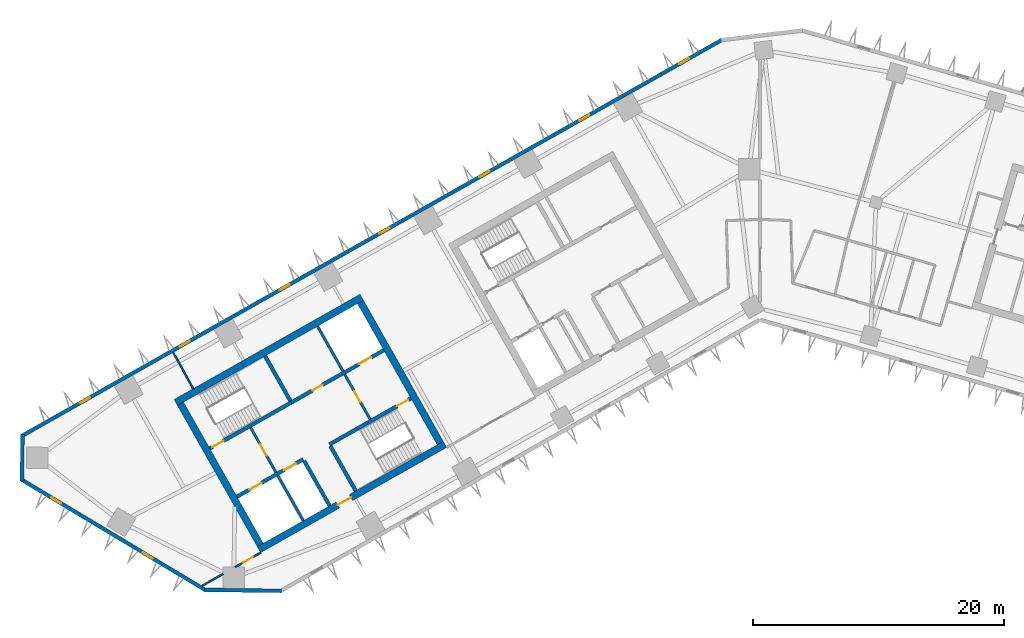
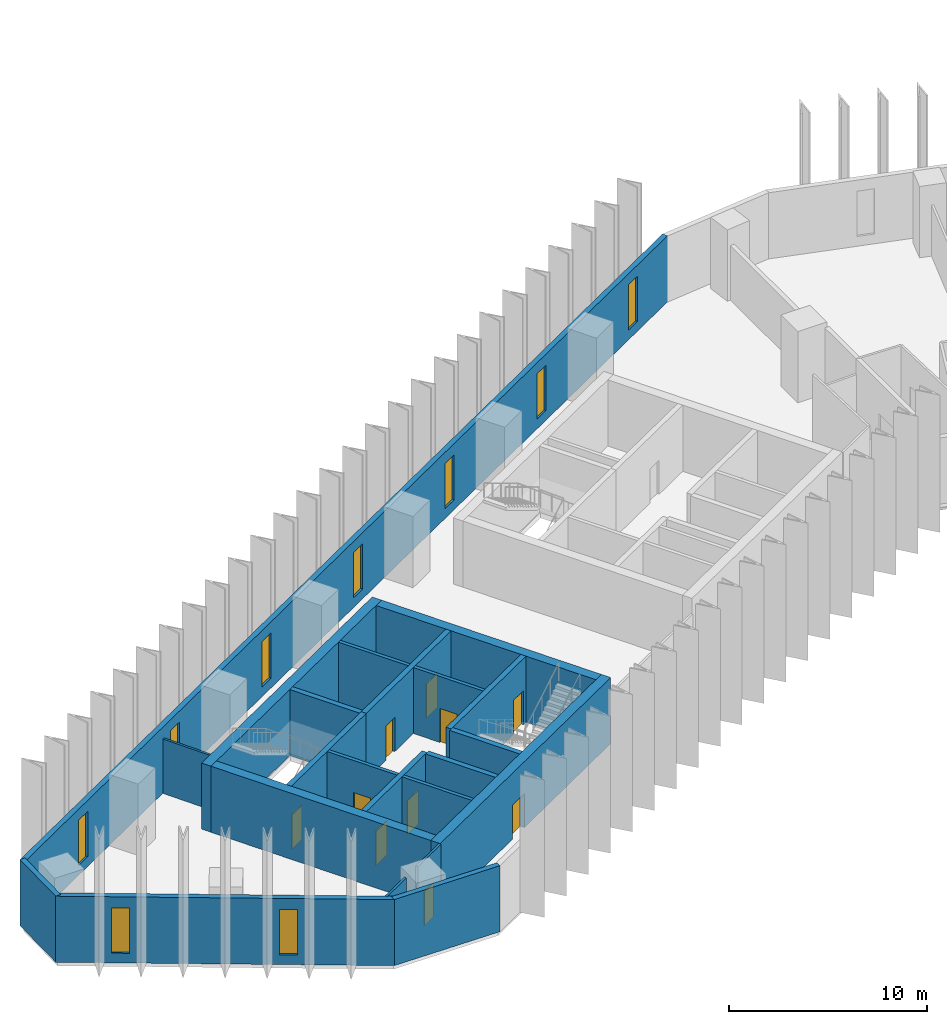
# One storey, part 3 of 11: 22 walls, 10 doors, 9 windows, 19 openings.
"""IFC4 building model written with IfcOpenShell, lengths in metres."""

from ifc_helpers import new_model, si_unit, direction, frame, frame_2d, origin, place, context, subcontext, project, spatial, rectangle, extrude, material, layer, layer_set, type_object, element, fill, save


model = new_model("IFC4")

# Units and contexts
model_context = context("Model", 3, precision=1e-05, world=origin(), true_north=direction((0.0, 1.0)))
body_context = subcontext(model_context, "Body", "Model", "MODEL_VIEW")
ifc_project = project(units=[si_unit("LENGTHUNIT", "METRE"), si_unit("AREAUNIT", "SQUARE_METRE"), si_unit("VOLUMEUNIT", "CUBIC_METRE"), si_unit("PLANEANGLEUNIT", "RADIAN"), si_unit("MASSUNIT", "GRAM", prefix="KILO")], contexts=[model_context])

# Site, building, storey
site_placement = place(None, origin())
site = spatial("IfcSite", under=ifc_project, at=site_placement, CompositionType="ELEMENT")
building_placement = place(site_placement, origin())
building = spatial("IfcBuilding", under=site, at=building_placement, Name="Binnacle Exchange Tower", CompositionType="ELEMENT")
storey_placement = place(building_placement, frame((0.0, 0.0, 114.699951171875)))
storey = spatial("IfcBuildingStorey", under=building, at=storey_placement, Name="L23", CompositionType="ELEMENT", Elevation=114.699951171875)

# Wall, openings, doors
ifc_material_1 = material(Name="Concrete C70/85", Category="concrete")
ifc_layer_1 = layer(ifc_material_1, 0.300048828125)
ifc_layer_set_1 = layer_set([ifc_layer_1], Name="Core wall - front 300")
wall_type_1 = type_object("IfcWallType", Name="Core wall - front 300", PredefinedType="SOLIDWALL", material=ifc_layer_set_1)
wall_1_placement = place(storey_placement, frame((-41.599609375, 33.936279296875, 0.0), z_axis=(0.0, 0.0, 1.0), x_axis=(0.870348557882, 0.492436176365, 0.0)))
wall_1 = element("IfcWall", 1, at=wall_1_placement, inside=storey, type_object=wall_type_1, Name="Core wall CRWA2", PredefinedType="SOLIDWALL", context=body_context, shape_type="SweptSolid", body=[
    extrude(rectangle(XDim=6.050048828125, YDim=0.300048828125, at=frame_2d((3.02490234375, 0.0))), origin(), (0.0, 0.0, 1.0), 4.080078125),
])
opening_1_placement = place(wall_1_placement, frame((1.14990234375, 0.0, 0.0)))
opening_1 = element("IfcOpeningElement", 2, at=opening_1_placement, cuts=wall_1, Name="Opening LD12", PredefinedType="OPENING", context=body_context, shape_type="SweptSolid", body=[
    extrude(rectangle(XDim=1.10009765625, YDim=2.10009765625, at=frame_2d((0.550048828125, 1.050048828125))), frame((0.0, 0.159912109375, 0.0), z_axis=(0.0, -1.0, 0.0), x_axis=(1.0, 0.0, 0.0)), (0.0, 0.0, 1.0), 0.320068359375),
])
opening_2_placement = place(wall_1_placement, frame((4.300048828125, 0.0, 0.0)))
opening_2 = element("IfcOpeningElement", 3, at=opening_2_placement, cuts=wall_1, Name="Opening LD8", PredefinedType="OPENING", context=body_context, shape_type="SweptSolid", body=[
    extrude(rectangle(XDim=1.10009765625, YDim=2.10009765625, at=frame_2d((0.550048828125, 1.050048828125))), frame((0.0, 0.159912109375, 0.0), z_axis=(0.0, -1.0, 0.0), x_axis=(1.0, 0.0, 0.0)), (0.0, 0.0, 1.0), 0.320068359375),
])
ifc_material_2 = material(Name="Steel door leaf", Category="steel")
door_type_1 = type_object("IfcDoorType", Name="Fire door - lift landing 1100", OperationType="NOTDEFINED", PredefinedType="DOOR", material=ifc_material_2)
door_1_placement = place(opening_1_placement, origin())
door_1 = element("IfcDoor", 4, at=door_1_placement, inside=storey, type_object=door_type_1, Name="Landing door LD12 L23", OperationType="DOUBLE_DOOR_SLIDING", OverallHeight=2.10009765625, OverallWidth=1.10009765625, PredefinedType="DOOR", context=body_context, shape_type="SweptSolid", body=[
    extrude(rectangle(XDim=1.10009765625, YDim=2.10009765625, at=frame_2d((0.550048828125, 1.050048828125))), frame((0.0, 0.02490234375, 0.0), z_axis=(0.0, -1.0, 0.0), x_axis=(1.0, 0.0, 0.0)), (0.0, 0.0, 1.0), 0.050048828125),
])
fill(opening_1, door_1)
door_2_placement = place(opening_2_placement, origin())
door_2 = element("IfcDoor", 5, at=door_2_placement, inside=storey, type_object=door_type_1, Name="Landing door LD8 L23", OperationType="DOUBLE_DOOR_SLIDING", OverallHeight=2.10009765625, OverallWidth=1.10009765625, PredefinedType="DOOR", context=body_context, shape_type="SweptSolid", body=[
    extrude(rectangle(XDim=1.10009765625, YDim=2.10009765625, at=frame_2d((0.550048828125, 1.050048828125))), frame((0.0, 0.02490234375, 0.0), z_axis=(0.0, -1.0, 0.0), x_axis=(1.0, 0.0, 0.0)), (0.0, 0.0, 1.0), 0.050048828125),
])
fill(opening_2, door_2)

wall_2_placement = place(storey_placement, frame((-37.281982421875, 41.4345703125, 0.0), z_axis=(0.0, 0.0, 1.0), x_axis=(0.870359895813, 0.492416136779, 0.0)))
wall_2 = element("IfcWall", 6, at=wall_2_placement, inside=storey, type_object=wall_type_1, Name="Core wall CRWA5", PredefinedType="SOLIDWALL", context=body_context, shape_type="SweptSolid", body=[
    extrude(rectangle(XDim=8.449951171875, YDim=0.300048828125, at=frame_2d((4.22509765625, 0.0))), origin(), (0.0, 0.0, 1.0), 4.080078125),
])
opening_3_placement = place(wall_2_placement, frame((6.199951171875, 0.0, 0.0)))
opening_3 = element("IfcOpeningElement", 7, at=opening_3_placement, cuts=wall_2, Name="Opening LD13", PredefinedType="OPENING", context=body_context, shape_type="SweptSolid", body=[
    extrude(rectangle(XDim=1.10009765625, YDim=2.10009765625, at=frame_2d((0.550048828125, 1.050048828125))), frame((0.0, 0.159912109375, 0.0), z_axis=(0.0, -1.0, 0.0), x_axis=(1.0, 0.0, 0.0)), (0.0, 0.0, 1.0), 0.320068359375),
])
opening_4_placement = place(wall_2_placement, frame((1.949951171875, 0.0, 0.0)))
opening_4 = element("IfcOpeningElement", 8, at=opening_4_placement, cuts=wall_2, Name="Opening DA10", PredefinedType="OPENING", context=body_context, shape_type="SweptSolid", body=[
    extrude(rectangle(XDim=0.89990234375, YDim=2.10009765625, at=frame_2d((0.449951171875, 1.050048828125))), frame((0.0, 0.159912109375, 0.0), z_axis=(0.0, -1.0, 0.0), x_axis=(1.0, 0.0, 0.0)), (0.0, 0.0, 1.0), 0.320068359375),
])
door_3_placement = place(opening_3_placement, origin())
door_3 = element("IfcDoor", 9, at=door_3_placement, inside=storey, type_object=door_type_1, Name="Landing door LD13 L23", OperationType="DOUBLE_DOOR_SLIDING", OverallHeight=2.10009765625, OverallWidth=1.10009765625, PredefinedType="DOOR", context=body_context, shape_type="SweptSolid", body=[
    extrude(rectangle(XDim=1.10009765625, YDim=2.10009765625, at=frame_2d((0.550048828125, 1.050048828125))), frame((0.0, 0.02490234375, 0.0), z_axis=(0.0, -1.0, 0.0), x_axis=(1.0, 0.0, 0.0)), (0.0, 0.0, 1.0), 0.050048828125),
])
fill(opening_3, door_3)
door_type_2 = type_object("IfcDoorType", Name="Fire door 900", OperationType="NOTDEFINED", PredefinedType="DOOR", material=ifc_material_2)
door_4_placement = place(opening_4_placement, origin())
door_4 = element("IfcDoor", 10, at=door_4_placement, inside=storey, type_object=door_type_2, Name="Core room door EQUIPMENT STORE", OperationType="SINGLE_SWING_LEFT", OverallHeight=2.10009765625, OverallWidth=0.89990234375, PredefinedType="DOOR", context=body_context, shape_type="SweptSolid", body=[
    extrude(rectangle(XDim=0.89990234375, YDim=2.10009765625, at=frame_2d((0.449951171875, 1.050048828125))), frame((0.0, 0.02490234375, 0.0), z_axis=(0.0, -1.0, 0.0), x_axis=(1.0, 0.0, 0.0)), (0.0, 0.0, 1.0), 0.050048828125),
])
fill(opening_4, door_4)

# Wall
wall_3_placement = place(storey_placement, frame((-36.260009765625, 36.784912109375, 0.0), z_axis=(0.0, 0.0, 1.0), x_axis=(0.492408451753, -0.87036424366, 0.0)))
element("IfcWall", 11, at=wall_3_placement, inside=storey, type_object=wall_type_1, Name="Core wall CRWA13", PredefinedType="SOLIDWALL", context=body_context, shape_type="SweptSolid", body=[
    extrude(rectangle(XDim=4.099853515625, YDim=0.300048828125, at=frame_2d((2.0498046875, 0.0))), origin(), (0.0, 0.0, 1.0), 4.080078125),
])

# Wall, opening, door
ifc_layer_2 = layer(ifc_material_1, 0.550048828125)
ifc_layer_set_2 = layer_set([ifc_layer_2], Name="Core wall - outer 550")
wall_type_2 = type_object("IfcWallType", Name="Core wall - outer 550", PredefinedType="SOLIDWALL", material=ifc_layer_set_2)
wall_4_placement = place(storey_placement, frame((-39.85009765625, 29.727294921875, 0.0), z_axis=(0.0, 0.0, 1.0), x_axis=(0.870359753402, 0.492416388494, 0.0)))
wall_4 = element("IfcWall", 12, at=wall_4_placement, inside=storey, type_object=wall_type_2, Name="Core wall CRWA1", PredefinedType="SOLIDWALL", context=body_context, shape_type="SweptSolid", body=[
    extrude(rectangle(XDim=17.0, YDim=0.550048828125, at=frame_2d((8.5, 0.0))), origin(), (0.0, 0.0, 1.0), 4.080078125),
])
opening_5_placement = place(wall_4_placement, frame((7.199951171875, 0.0, 0.0)))
opening_5 = element("IfcOpeningElement", 13, at=opening_5_placement, cuts=wall_4, Name="Opening DA7", PredefinedType="OPENING", context=body_context, shape_type="SweptSolid", body=[
    extrude(rectangle(XDim=1.199951171875, YDim=2.10009765625, at=frame_2d((0.60009765625, 1.050048828125))), frame((0.0, 0.284912109375, 0.0), z_axis=(0.0, -1.0, 0.0), x_axis=(1.0, 0.0, 0.0)), (0.0, 0.0, 1.0), 0.570068359375),
])
door_type_3 = type_object("IfcDoorType", Name="Fire door 1200", OperationType="NOTDEFINED", PredefinedType="DOOR", material=ifc_material_2)
door_5_placement = place(opening_5_placement, frame((1.199951171875, 0.0, 0.0), z_axis=(0.0, 0.0, 1.0), x_axis=(-1.0, 0.0, 0.0)))
door_5 = element("IfcDoor", 14, at=door_5_placement, inside=storey, type_object=door_type_3, Name="Lift lobby entrance door core A", OperationType="SINGLE_SWING_RIGHT", OverallHeight=2.10009765625, OverallWidth=1.199951171875, PredefinedType="DOOR", context=body_context, shape_type="SweptSolid", body=[
    extrude(rectangle(XDim=1.199951171875, YDim=2.10009765625, at=frame_2d((0.60009765625, 1.050048828125))), frame((0.0, 0.02490234375, 0.0), z_axis=(0.0, -1.0, 0.0), x_axis=(1.0, 0.0, 0.0)), (0.0, 0.0, 1.0), 0.050048828125),
])
fill(opening_5, door_5)

# Walls
wall_5_placement = place(storey_placement, frame((-46.47314453125, 41.43359375, 0.0), z_axis=(0.0, 0.0, 1.0), x_axis=(0.870359753402, 0.492416388494, 0.0)))
element("IfcWall", 15, at=wall_5_placement, inside=storey, type_object=wall_type_2, Name="Core wall CRWA6", PredefinedType="SOLIDWALL", context=body_context, shape_type="SweptSolid", body=[
    extrude(rectangle(XDim=17.0, YDim=0.550048828125, at=frame_2d((8.5, 0.0))), origin(), (0.0, 0.0, 1.0), 4.080078125),
])
wall_6_placement = place(storey_placement, frame((-46.098388671875, 41.32958984375, 0.0), z_axis=(0.0, 0.0, 1.0), x_axis=(0.492418910884, -0.870358326325, 0.0)))
element("IfcWall", 16, at=wall_6_placement, inside=storey, type_object=wall_type_2, Name="Core wall CRWA7", PredefinedType="SOLIDWALL", context=body_context, shape_type="SweptSolid", body=[
    extrude(rectangle(XDim=12.900146484375, YDim=0.550048828125, at=frame_2d((6.4501953125, 0.0))), origin(), (0.0, 0.0, 1.0), 4.080078125),
])
wall_7_placement = place(storey_placement, frame((-31.781005859375, 49.429931640625, 0.0), z_axis=(0.0, 0.0, 1.0), x_axis=(0.492427022044, -0.870353737259, 0.0)))
element("IfcWall", 17, at=wall_7_placement, inside=storey, type_object=wall_type_2, Name="Core wall CRWA22", PredefinedType="SOLIDWALL", context=body_context, shape_type="SweptSolid", body=[
    extrude(rectangle(XDim=12.89990234375, YDim=0.550048828125, at=frame_2d((6.449951171875, 0.0))), origin(), (0.0, 0.0, 1.0), 4.080078125),
])

# Wall, opening, door
ifc_layer_3 = layer(ifc_material_1, 0.300048828125)
ifc_layer_set_3 = layer_set([ifc_layer_3], Name="Core wall - stair 300")
wall_type_3 = type_object("IfcWallType", Name="Core wall - stair 300", PredefinedType="SOLIDWALL", material=ifc_layer_set_3)
wall_8_placement = place(storey_placement, frame((-34.2451171875, 38.097412109375, 0.0), z_axis=(0.0, 0.0, 1.0), x_axis=(0.870360741098, 0.49241464271, 0.0)))
wall_8 = element("IfcWall", 18, at=wall_8_placement, inside=storey, type_object=wall_type_3, Name="Core wall CRWA3", PredefinedType="SOLIDWALL", context=body_context, shape_type="SweptSolid", body=[
    extrude(rectangle(XDim=7.449951171875, YDim=0.300048828125, at=frame_2d((3.72509765625, 0.0))), origin(), (0.0, 0.0, 1.0), 4.080078125),
])
opening_6_placement = place(wall_8_placement, frame((6.199951171875, 0.0, 0.0)))
opening_6 = element("IfcOpeningElement", 19, at=opening_6_placement, cuts=wall_8, Name="Opening DA2", PredefinedType="OPENING", context=body_context, shape_type="SweptSolid", body=[
    extrude(rectangle(XDim=1.0, YDim=2.10009765625, at=frame_2d((0.5, 1.050048828125))), frame((0.0, 0.159912109375, 0.0), z_axis=(0.0, -1.0, 0.0), x_axis=(1.0, 0.0, 0.0)), (0.0, 0.0, 1.0), 0.320068359375),
])
door_type_4 = type_object("IfcDoorType", Name="Fire door 1000", OperationType="NOTDEFINED", PredefinedType="DOOR", material=ifc_material_2)
door_6_placement = place(opening_6_placement, frame((1.0, 0.0, 0.0), z_axis=(0.0, 0.0, 1.0), x_axis=(-1.0, 0.0, 0.0)))
door_6 = element("IfcDoor", 20, at=door_6_placement, inside=storey, type_object=door_type_4, Name="Stair door ST-A2", OperationType="SINGLE_SWING_LEFT", OverallHeight=2.10009765625, OverallWidth=1.0, PredefinedType="DOOR", context=body_context, shape_type="SweptSolid", body=[
    extrude(rectangle(XDim=1.0, YDim=2.10009765625, at=frame_2d((0.5, 1.050048828125))), frame((0.0, 0.02490234375, 0.0), z_axis=(0.0, -1.0, 0.0), x_axis=(1.0, 0.0, 0.0)), (0.0, 0.0, 1.0), 0.050048828125),
])
fill(opening_6, door_6)

wall_9_placement = place(storey_placement, frame((-43.76611328125, 37.765869140625, 0.0), z_axis=(0.0, 0.0, 1.0), x_axis=(0.870346696097, 0.492439466932, 0.0)))
wall_9 = element("IfcWall", 21, at=wall_9_placement, inside=storey, type_object=wall_type_3, Name="Core wall CRWA4", PredefinedType="SOLIDWALL", context=body_context, shape_type="SweptSolid", body=[
    extrude(rectangle(XDim=7.449951171875, YDim=0.300048828125, at=frame_2d((3.72509765625, 0.0))), origin(), (0.0, 0.0, 1.0), 4.080078125),
])
opening_7_placement = place(wall_9_placement, frame((0.25, 0.0, 0.0)))
opening_7 = element("IfcOpeningElement", 22, at=opening_7_placement, cuts=wall_9, Name="Opening DA1", PredefinedType="OPENING", context=body_context, shape_type="SweptSolid", body=[
    extrude(rectangle(XDim=1.0, YDim=2.10009765625, at=frame_2d((0.5, 1.050048828125))), frame((0.0, 0.159912109375, 0.0), z_axis=(0.0, -1.0, 0.0), x_axis=(1.0, 0.0, 0.0)), (0.0, 0.0, 1.0), 0.320068359375),
])
door_7_placement = place(opening_7_placement, origin())
door_7 = element("IfcDoor", 23, at=door_7_placement, inside=storey, type_object=door_type_4, Name="Stair door ST-A1", OperationType="SINGLE_SWING_LEFT", OverallHeight=2.10009765625, OverallWidth=1.0, PredefinedType="DOOR", context=body_context, shape_type="SweptSolid", body=[
    extrude(rectangle(XDim=1.0, YDim=2.10009765625, at=frame_2d((0.5, 1.050048828125))), frame((0.0, 0.02490234375, 0.0), z_axis=(0.0, -1.0, 0.0), x_axis=(1.0, 0.0, 0.0)), (0.0, 0.0, 1.0), 0.050048828125),
])
fill(opening_7, door_7)

# Walls
for number, where, z_axis, x_axis, name in (
    (24, (-39.375, 45.133544921875, 0.0), (0.0, 0.0, 1.0), (0.492428039142, -0.870353161807, 0.0), "Core wall CRWA14"),
    (25, (-34.171142578125, 37.966796875, 0.0), (0.0, 0.0, 1.0), (0.492382931784, -0.870378681085, 0.0), "Core wall CRWA16"),
):
    element("IfcWall", number, at=place(storey_placement, frame(where, z_axis=z_axis, x_axis=x_axis)), inside=storey, type_object=wall_type_3, Name=name, PredefinedType="SOLIDWALL", context=body_context, shape_type="SweptSolid", body=[
        extrude(rectangle(XDim=4.10009765625, YDim=0.300048828125, at=frame_2d((2.050048828125, 0.0))), origin(), (0.0, 0.0, 1.0), 4.080078125),
    ])

# Wall, openings, windows
ifc_material_3 = material(Name="Bronze aluminium cladding", Category="aluminium")
ifc_layer_4 = layer(ifc_material_3, 0.300048828125)
ifc_layer_set_4 = layer_set([ifc_layer_4], Name="External wall - spandrel 300")
wall_type_4 = type_object("IfcWallType", Name="External wall - spandrel 300", PredefinedType="STANDARD", material=ifc_layer_set_4)
wall_10_placement = place(storey_placement, frame((-58.744873046875, 38.763671875, 0.0), z_axis=(0.0, 0.0, 1.0), x_axis=(0.870355811726, 0.492423355453, 0.0)))
wall_10 = element("IfcWall", 26, at=wall_10_placement, inside=storey, type_object=wall_type_4, Name="External wall EW-F03 L23", PredefinedType="STANDARD", context=body_context, shape_type="SweptSolid", body=[
    extrude(rectangle(XDim=64.025390625, YDim=0.300048828125, at=frame_2d((32.0126953125, 0.0))), origin(), (0.0, 0.0, 1.0), 4.080078125),
])
opening_8_placement = place(wall_10_placement, frame((60.12158203125, 0.0, 0.60009765625)))
opening_8 = element("IfcOpeningElement", 27, at=opening_8_placement, cuts=wall_10, Name="Opening WS2", PredefinedType="OPENING", context=body_context, shape_type="SweptSolid", body=[
    extrude(rectangle(XDim=0.89990234375, YDim=2.800048828125, at=frame_2d((0.449951171875, 1.39990234375))), frame((0.0, 0.159912109375, 0.0), z_axis=(0.0, -1.0, 0.0), x_axis=(1.0, 0.0, 0.0)), (0.0, 0.0, 1.0), 0.320068359375),
])
opening_9_placement = place(wall_10_placement, frame((50.99169921875, 0.0, 0.60009765625)))
opening_9 = element("IfcOpeningElement", 28, at=opening_9_placement, cuts=wall_10, Name="Opening WS2", PredefinedType="OPENING", context=body_context, shape_type="SweptSolid", body=[
    extrude(rectangle(XDim=0.89990234375, YDim=2.800048828125, at=frame_2d((0.449951171875, 1.39990234375))), frame((0.0, 0.159912109375, 0.0), z_axis=(0.0, -1.0, 0.0), x_axis=(1.0, 0.0, 0.0)), (0.0, 0.0, 1.0), 0.320068359375),
])
opening_10_placement = place(wall_10_placement, frame((41.86181640625, 0.0, 0.60009765625)))
opening_10 = element("IfcOpeningElement", 29, at=opening_10_placement, cuts=wall_10, Name="Opening WS2", PredefinedType="OPENING", context=body_context, shape_type="SweptSolid", body=[
    extrude(rectangle(XDim=0.89990234375, YDim=2.800048828125, at=frame_2d((0.449951171875, 1.39990234375))), frame((0.0, 0.159912109375, 0.0), z_axis=(0.0, -1.0, 0.0), x_axis=(1.0, 0.0, 0.0)), (0.0, 0.0, 1.0), 0.320068359375),
])
opening_11_placement = place(wall_10_placement, frame((32.73193359375, 0.0, 0.60009765625)))
opening_11 = element("IfcOpeningElement", 30, at=opening_11_placement, cuts=wall_10, Name="Opening WS2", PredefinedType="OPENING", context=body_context, shape_type="SweptSolid", body=[
    extrude(rectangle(XDim=0.89990234375, YDim=2.800048828125, at=frame_2d((0.449951171875, 1.39990234375))), frame((0.0, 0.159912109375, 0.0), z_axis=(0.0, -1.0, 0.0), x_axis=(1.0, 0.0, 0.0)), (0.0, 0.0, 1.0), 0.320068359375),
])
opening_12_placement = place(wall_10_placement, frame((23.60205078125, 0.0, 0.60009765625)))
opening_12 = element("IfcOpeningElement", 31, at=opening_12_placement, cuts=wall_10, Name="Opening WS2", PredefinedType="OPENING", context=body_context, shape_type="SweptSolid", body=[
    extrude(rectangle(XDim=0.89990234375, YDim=2.800048828125, at=frame_2d((0.449951171875, 1.39990234375))), frame((0.0, 0.159912109375, 0.0), z_axis=(0.0, -1.0, 0.0), x_axis=(1.0, 0.0, 0.0)), (0.0, 0.0, 1.0), 0.320068359375),
])
opening_13_placement = place(wall_10_placement, frame((14.47216796875, 0.0, 0.60009765625)))
opening_13 = element("IfcOpeningElement", 32, at=opening_13_placement, cuts=wall_10, Name="Opening WS2", PredefinedType="OPENING", context=body_context, shape_type="SweptSolid", body=[
    extrude(rectangle(XDim=0.89990234375, YDim=2.800048828125, at=frame_2d((0.449951171875, 1.39990234375))), frame((0.0, 0.159912109375, 0.0), z_axis=(0.0, -1.0, 0.0), x_axis=(1.0, 0.0, 0.0)), (0.0, 0.0, 1.0), 0.320068359375),
])
opening_14_placement = place(wall_10_placement, frame((5.34228515625, 0.0, 0.60009765625)))
opening_14 = element("IfcOpeningElement", 33, at=opening_14_placement, cuts=wall_10, Name="Opening WS2", PredefinedType="OPENING", context=body_context, shape_type="SweptSolid", body=[
    extrude(rectangle(XDim=0.89990234375, YDim=2.800048828125, at=frame_2d((0.449951171875, 1.39990234375))), frame((0.0, 0.159912109375, 0.0), z_axis=(0.0, -1.0, 0.0), x_axis=(1.0, 0.0, 0.0)), (0.0, 0.0, 1.0), 0.320068359375),
])
ifc_material_4 = material(Name="Bronze anodised aluminium frame", Category="aluminium")
window_type = type_object("IfcWindowType", Name="WS2 WINDOW 900x2800", PartitioningType="SINGLE_PANEL", PredefinedType="WINDOW", material=ifc_material_4)
window_1_placement = place(opening_8_placement, origin())
window_1 = element("IfcWindow", 34, at=window_1_placement, inside=storey, type_object=window_type, Name="Window WS2 L23", OverallHeight=2.800048828125, OverallWidth=0.89990234375, PartitioningType="SINGLE_PANEL", PredefinedType="WINDOW", context=body_context, shape_type="SweptSolid", body=[
    extrude(rectangle(XDim=0.89990234375, YDim=2.800048828125, at=frame_2d((0.449951171875, 1.39990234375))), frame((0.0, 0.030029296875, 0.0), z_axis=(0.0, -1.0, 0.0), x_axis=(1.0, 0.0, 0.0)), (0.0, 0.0, 1.0), 0.06005859375),
])
fill(opening_8, window_1)
window_2_placement = place(opening_9_placement, origin())
window_2 = element("IfcWindow", 35, at=window_2_placement, inside=storey, type_object=window_type, Name="Window WS2 L23", OverallHeight=2.800048828125, OverallWidth=0.89990234375, PartitioningType="SINGLE_PANEL", PredefinedType="WINDOW", context=body_context, shape_type="SweptSolid", body=[
    extrude(rectangle(XDim=0.89990234375, YDim=2.800048828125, at=frame_2d((0.449951171875, 1.39990234375))), frame((0.0, 0.030029296875, 0.0), z_axis=(0.0, -1.0, 0.0), x_axis=(1.0, 0.0, 0.0)), (0.0, 0.0, 1.0), 0.06005859375),
])
fill(opening_9, window_2)
window_3_placement = place(opening_10_placement, origin())
window_3 = element("IfcWindow", 36, at=window_3_placement, inside=storey, type_object=window_type, Name="Window WS2 L23", OverallHeight=2.800048828125, OverallWidth=0.89990234375, PartitioningType="SINGLE_PANEL", PredefinedType="WINDOW", context=body_context, shape_type="SweptSolid", body=[
    extrude(rectangle(XDim=0.89990234375, YDim=2.800048828125, at=frame_2d((0.449951171875, 1.39990234375))), frame((0.0, 0.030029296875, 0.0), z_axis=(0.0, -1.0, 0.0), x_axis=(1.0, 0.0, 0.0)), (0.0, 0.0, 1.0), 0.06005859375),
])
fill(opening_10, window_3)
window_4_placement = place(opening_11_placement, origin())
window_4 = element("IfcWindow", 37, at=window_4_placement, inside=storey, type_object=window_type, Name="Window WS2 L23", OverallHeight=2.800048828125, OverallWidth=0.89990234375, PartitioningType="SINGLE_PANEL", PredefinedType="WINDOW", context=body_context, shape_type="SweptSolid", body=[
    extrude(rectangle(XDim=0.89990234375, YDim=2.800048828125, at=frame_2d((0.449951171875, 1.39990234375))), frame((0.0, 0.030029296875, 0.0), z_axis=(0.0, -1.0, 0.0), x_axis=(1.0, 0.0, 0.0)), (0.0, 0.0, 1.0), 0.06005859375),
])
fill(opening_11, window_4)
window_5_placement = place(opening_12_placement, origin())
window_5 = element("IfcWindow", 38, at=window_5_placement, inside=storey, type_object=window_type, Name="Window WS2 L23", OverallHeight=2.800048828125, OverallWidth=0.89990234375, PartitioningType="SINGLE_PANEL", PredefinedType="WINDOW", context=body_context, shape_type="SweptSolid", body=[
    extrude(rectangle(XDim=0.89990234375, YDim=2.800048828125, at=frame_2d((0.449951171875, 1.39990234375))), frame((0.0, 0.030029296875, 0.0), z_axis=(0.0, -1.0, 0.0), x_axis=(1.0, 0.0, 0.0)), (0.0, 0.0, 1.0), 0.06005859375),
])
fill(opening_12, window_5)
window_6_placement = place(opening_13_placement, origin())
window_6 = element("IfcWindow", 39, at=window_6_placement, inside=storey, type_object=window_type, Name="Window WS2 L23", OverallHeight=2.800048828125, OverallWidth=0.89990234375, PartitioningType="SINGLE_PANEL", PredefinedType="WINDOW", context=body_context, shape_type="SweptSolid", body=[
    extrude(rectangle(XDim=0.89990234375, YDim=2.800048828125, at=frame_2d((0.449951171875, 1.39990234375))), frame((0.0, 0.030029296875, 0.0), z_axis=(0.0, -1.0, 0.0), x_axis=(1.0, 0.0, 0.0)), (0.0, 0.0, 1.0), 0.06005859375),
])
fill(opening_13, window_6)
window_7_placement = place(opening_14_placement, origin())
window_7 = element("IfcWindow", 40, at=window_7_placement, inside=storey, type_object=window_type, Name="Window WS2 L23", OverallHeight=2.800048828125, OverallWidth=0.89990234375, PartitioningType="SINGLE_PANEL", PredefinedType="WINDOW", context=body_context, shape_type="SweptSolid", body=[
    extrude(rectangle(XDim=0.89990234375, YDim=2.800048828125, at=frame_2d((0.449951171875, 1.39990234375))), frame((0.0, 0.030029296875, 0.0), z_axis=(0.0, -1.0, 0.0), x_axis=(1.0, 0.0, 0.0)), (0.0, 0.0, 1.0), 0.06005859375),
])
fill(opening_14, window_7)

# Wall
wall_11_placement = place(storey_placement, frame((-58.717041015625, 35.19384765625, 0.0), z_axis=(0.0, 0.0, 1.0), x_axis=(0.013069053407, 0.999914596275, 0.0)))
element("IfcWall", 41, at=wall_11_placement, inside=storey, type_object=wall_type_4, Name="External wall EW-F04 L23", PredefinedType="STANDARD", context=body_context, shape_type="SweptSolid", body=[
    extrude(rectangle(XDim=3.69873046875, YDim=0.300048828125, at=frame_2d((1.849365234375, 0.0))), origin(), (0.0, 0.0, 1.0), 4.080078125),
])

# Wall, openings, windows
wall_12_placement = place(storey_placement, frame((-44.109375, 26.503662109375, 0.0), z_axis=(0.0, 0.0, 1.0), x_axis=(-0.857169502585, 0.515034410344, 0.0)))
wall_12 = element("IfcWall", 42, at=wall_12_placement, inside=storey, type_object=wall_type_4, Name="External wall EW-F05 L23", PredefinedType="STANDARD", context=body_context, shape_type="SweptSolid", body=[
    extrude(rectangle(XDim=17.126708984375, YDim=0.300048828125, at=frame_2d((8.5634765625, 0.0))), origin(), (0.0, 0.0, 1.0), 4.080078125),
])
opening_15_placement = place(wall_12_placement, frame((13.403076171875, 0.0, 0.60009765625)))
opening_15 = element("IfcOpeningElement", 43, at=opening_15_placement, cuts=wall_12, Name="Opening WS2", PredefinedType="OPENING", context=body_context, shape_type="SweptSolid", body=[
    extrude(rectangle(XDim=0.89990234375, YDim=2.800048828125, at=frame_2d((0.449951171875, 1.39990234375))), frame((0.0, 0.159912109375, 0.0), z_axis=(0.0, -1.0, 0.0), x_axis=(1.0, 0.0, 0.0)), (0.0, 0.0, 1.0), 0.320068359375),
])
opening_16_placement = place(wall_12_placement, frame((4.903076171875, 0.0, 0.60009765625)))
opening_16 = element("IfcOpeningElement", 44, at=opening_16_placement, cuts=wall_12, Name="Opening WS2", PredefinedType="OPENING", context=body_context, shape_type="SweptSolid", body=[
    extrude(rectangle(XDim=0.89990234375, YDim=2.800048828125, at=frame_2d((0.449951171875, 1.39990234375))), frame((0.0, 0.159912109375, 0.0), z_axis=(0.0, -1.0, 0.0), x_axis=(1.0, 0.0, 0.0)), (0.0, 0.0, 1.0), 0.320068359375),
])
window_8_placement = place(opening_15_placement, origin())
window_8 = element("IfcWindow", 45, at=window_8_placement, inside=storey, type_object=window_type, Name="Window WS2 L23", OverallHeight=2.800048828125, OverallWidth=0.89990234375, PartitioningType="SINGLE_PANEL", PredefinedType="WINDOW", context=body_context, shape_type="SweptSolid", body=[
    extrude(rectangle(XDim=0.89990234375, YDim=2.800048828125, at=frame_2d((0.449951171875, 1.39990234375))), frame((0.0, 0.030029296875, 0.0), z_axis=(0.0, -1.0, 0.0), x_axis=(1.0, 0.0, 0.0)), (0.0, 0.0, 1.0), 0.06005859375),
])
fill(opening_15, window_8)
window_9_placement = place(opening_16_placement, origin())
window_9 = element("IfcWindow", 46, at=window_9_placement, inside=storey, type_object=window_type, Name="Window WS2 L23", OverallHeight=2.800048828125, OverallWidth=0.89990234375, PartitioningType="SINGLE_PANEL", PredefinedType="WINDOW", context=body_context, shape_type="SweptSolid", body=[
    extrude(rectangle(XDim=0.89990234375, YDim=2.800048828125, at=frame_2d((0.449951171875, 1.39990234375))), frame((0.0, 0.030029296875, 0.0), z_axis=(0.0, -1.0, 0.0), x_axis=(1.0, 0.0, 0.0)), (0.0, 0.0, 1.0), 0.06005859375),
])
fill(opening_16, window_9)

# Wall
wall_13_placement = place(storey_placement, frame((-38.057373046875, 26.44482421875, 0.0), z_axis=(0.0, 0.0, 1.0), x_axis=(-0.999914086342, 0.013108010296, 0.0)))
element("IfcWall", 47, at=wall_13_placement, inside=storey, type_object=wall_type_4, Name="External wall EW-F06 L23", PredefinedType="STANDARD", context=body_context, shape_type="SweptSolid", body=[
    extrude(rectangle(XDim=6.127685546875, YDim=0.300048828125, at=frame_2d((3.06396484375, 0.0))), origin(), (0.0, 0.0, 1.0), 4.080078125),
])

# Wall, opening, door
ifc_material_5 = material(Name="Masonry block wall", Category="masonry")
ifc_layer_5 = layer(ifc_material_5, 0.199951171875)
ifc_layer_set_5 = layer_set([ifc_layer_5], Name="Fire wall - vestibule 200")
wall_type_5 = type_object("IfcWallType", Name="Fire wall - vestibule 200", PredefinedType="PARTITIONING", material=ifc_layer_set_5)
wall_14_placement = place(storey_placement, frame((-40.515625, 39.4326171875, 0.0), z_axis=(0.0, 0.0, 1.0), x_axis=(0.492453559952, -0.87033872216, 0.0)))
wall_14 = element("IfcWall", 48, at=wall_14_placement, inside=storey, type_object=wall_type_5, Name="Core wall CRWA10", PredefinedType="PARTITIONING", context=body_context, shape_type="SweptSolid", body=[
    extrude(rectangle(XDim=4.099853515625, YDim=0.199951171875, at=frame_2d((2.0498046875, 0.0))), origin(), (0.0, 0.0, 1.0), 4.080078125),
])
opening_17_placement = place(wall_14_placement, frame((1.550048828125, 0.0, 0.0)))
opening_17 = element("IfcOpeningElement", 49, at=opening_17_placement, cuts=wall_14, Name="Opening DA3", PredefinedType="OPENING", context=body_context, shape_type="SweptSolid", body=[
    extrude(rectangle(XDim=1.0, YDim=2.10009765625, at=frame_2d((0.5, 1.050048828125))), frame((0.0, 0.10986328125, 0.0), z_axis=(0.0, -1.0, 0.0), x_axis=(1.0, 0.0, 0.0)), (0.0, 0.0, 1.0), 0.219970703125),
])
door_8_placement = place(opening_17_placement, frame((1.0, 0.0, 0.0), z_axis=(0.0, 0.0, 1.0), x_axis=(-1.0, 0.0, 0.0)))
door_8 = element("IfcDoor", 50, at=door_8_placement, inside=storey, type_object=door_type_4, Name="Vestibule door VEST-W", OperationType="SINGLE_SWING_LEFT", OverallHeight=2.10009765625, OverallWidth=1.0, PredefinedType="DOOR", context=body_context, shape_type="SweptSolid", body=[
    extrude(rectangle(XDim=1.0, YDim=2.10009765625, at=frame_2d((0.5, 1.050048828125))), frame((0.0, 0.02490234375, 0.0), z_axis=(0.0, -1.0, 0.0), x_axis=(1.0, 0.0, 0.0)), (0.0, 0.0, 1.0), 0.050048828125),
])
fill(opening_17, door_8)

wall_15_placement = place(storey_placement, frame((-33.030517578125, 43.66748046875, 0.0), z_axis=(0.0, 0.0, 1.0), x_axis=(0.492408451753, -0.87036424366, 0.0)))
wall_15 = element("IfcWall", 51, at=wall_15_placement, inside=storey, type_object=wall_type_5, Name="Core wall CRWA19", PredefinedType="PARTITIONING", context=body_context, shape_type="SweptSolid", body=[
    extrude(rectangle(XDim=4.099853515625, YDim=0.199951171875, at=frame_2d((2.0498046875, 0.0))), origin(), (0.0, 0.0, 1.0), 4.080078125),
])
opening_18_placement = place(wall_15_placement, frame((1.550048828125, 0.0, 0.0)))
opening_18 = element("IfcOpeningElement", 52, at=opening_18_placement, cuts=wall_15, Name="Opening DA4", PredefinedType="OPENING", context=body_context, shape_type="SweptSolid", body=[
    extrude(rectangle(XDim=1.0, YDim=2.10009765625, at=frame_2d((0.5, 1.050048828125))), frame((0.0, 0.10986328125, 0.0), z_axis=(0.0, -1.0, 0.0), x_axis=(1.0, 0.0, 0.0)), (0.0, 0.0, 1.0), 0.219970703125),
])
door_9_placement = place(opening_18_placement, origin())
door_9 = element("IfcDoor", 53, at=door_9_placement, inside=storey, type_object=door_type_4, Name="Vestibule door VEST-E", OperationType="SINGLE_SWING_RIGHT", OverallHeight=2.10009765625, OverallWidth=1.0, PredefinedType="DOOR", context=body_context, shape_type="SweptSolid", body=[
    extrude(rectangle(XDim=1.0, YDim=2.10009765625, at=frame_2d((0.5, 1.050048828125))), frame((0.0, 0.02490234375, 0.0), z_axis=(0.0, -1.0, 0.0), x_axis=(1.0, 0.0, 0.0)), (0.0, 0.0, 1.0), 0.050048828125),
])
fill(opening_18, door_9)

# Walls
ifc_material_6 = material(Name="Gypsum partition")
ifc_layer_6 = layer(ifc_material_6, 0.125)
ifc_layer_set_6 = layer_set([ifc_layer_6], Name="Partition 125")
wall_type_6 = type_object("IfcWallType", Name="Partition 125", PredefinedType="PARTITIONING", material=ifc_layer_set_6)
wall_16_placement = place(storey_placement, frame((-46.677978515625, 45.4189453125, 0.0), z_axis=(0.0, 0.0, 1.0), x_axis=(0.483275206546, -0.875468488718, 0.0)))
element("IfcWall", 54, at=wall_16_placement, inside=storey, type_object=wall_type_6, Name="Partition W01", PredefinedType="PARTITIONING", context=body_context, shape_type="SweptSolid", body=[
    extrude(rectangle(XDim=3.294189453125, YDim=0.125, at=frame_2d((1.64697265625, 0.0))), origin(), (0.0, 0.0, 1.0), 3.360107421875),
])
wall_17_placement = place(storey_placement, frame((-44.385986328125, 26.844970703125, 0.0), z_axis=(0.0, 0.0, 1.0), x_axis=(0.870226201187, 0.492652371118, 0.0)))
element("IfcWall", 55, at=wall_17_placement, inside=storey, type_object=wall_type_6, Name="Partition W02", PredefinedType="PARTITIONING", context=body_context, shape_type="SweptSolid", body=[
    extrude(rectangle(XDim=1.9326171875, YDim=0.125, at=frame_2d((0.96630859375, 0.0))), origin(), (0.0, 0.0, 1.0), 4.080078125),
])

# Wall, opening, door
wall_18_placement = place(storey_placement, frame((-41.738037109375, 28.343017578125, 0.0), z_axis=(0.0, 0.0, 1.0), x_axis=(0.870265350095, 0.492583211676, 0.0)))
wall_18 = element("IfcWall", 56, at=wall_18_placement, inside=storey, type_object=wall_type_6, Name="Partition W03", PredefinedType="PARTITIONING", context=body_context, shape_type="SweptSolid", body=[
    extrude(rectangle(XDim=2.324462890625, YDim=0.125, at=frame_2d((1.162109375, 0.0))), origin(), (0.0, 0.0, 1.0), 4.080078125),
])
opening_19_placement = place(wall_18_placement, frame((0.699951171875, 0.0, 0.0)))
opening_19 = element("IfcOpeningElement", 57, at=opening_19_placement, cuts=wall_18, Name="Opening DL22-01", PredefinedType="OPENING", context=body_context, shape_type="SweptSolid", body=[
    extrude(rectangle(XDim=0.89990234375, YDim=2.10009765625, at=frame_2d((0.449951171875, 1.050048828125))), frame((0.0, 0.072509765625, 0.0), z_axis=(0.0, -1.0, 0.0), x_axis=(1.0, 0.0, 0.0)), (0.0, 0.0, 1.0), 0.14501953125),
])
ifc_material_7 = material(Name="Timber door leaf", Category="wood")
door_type_5 = type_object("IfcDoorType", Name="Door 900", OperationType="NOTDEFINED", PredefinedType="DOOR", material=ifc_material_7)
door_10_placement = place(opening_19_placement, origin())
door_10 = element("IfcDoor", 58, at=door_10_placement, inside=storey, type_object=door_type_5, Name="Door DL22-01", OperationType="SINGLE_SWING_LEFT", OverallHeight=2.10009765625, OverallWidth=0.89990234375, PredefinedType="DOOR", context=body_context, shape_type="SweptSolid", body=[
    extrude(rectangle(XDim=0.89990234375, YDim=2.10009765625, at=frame_2d((0.449951171875, 1.050048828125))), frame((0.0, 0.02490234375, 0.0), z_axis=(0.0, -1.0, 0.0), x_axis=(1.0, 0.0, 0.0)), (0.0, 0.0, 1.0), 0.050048828125),
])
fill(opening_19, door_10)

# Walls
ifc_layer_7 = layer(ifc_material_5, 0.199951171875)
ifc_layer_set_7 = layer_set([ifc_layer_7], Name="Shaft wall 200")
wall_type_7 = type_object("IfcWallType", Name="Shaft wall 200", PredefinedType="SOLIDWALL", material=ifc_layer_set_7)
wall_19_placement = place(storey_placement, frame((-38.348876953125, 35.603271484375, 0.0), z_axis=(0.0, 0.0, 1.0), x_axis=(0.492382931784, -0.870378681085, 0.0)))
element("IfcWall", 59, at=wall_19_placement, inside=storey, type_object=wall_type_7, Name="Core wall CRWA9", PredefinedType="SOLIDWALL", context=body_context, shape_type="SweptSolid", body=[
    extrude(rectangle(XDim=4.10009765625, YDim=0.199951171875, at=frame_2d((2.050048828125, 0.0))), origin(), (0.0, 0.0, 1.0), 4.080078125),
])
wall_20_placement = place(storey_placement, frame((-35.197265625, 47.4970703125, 0.0), z_axis=(0.0, 0.0, 1.0), x_axis=(0.492453559952, -0.87033872216, 0.0)))
element("IfcWall", 60, at=wall_20_placement, inside=storey, type_object=wall_type_7, Name="Core wall CRWA21", PredefinedType="SOLIDWALL", context=body_context, shape_type="SweptSolid", body=[
    extrude(rectangle(XDim=4.099853515625, YDim=0.199951171875, at=frame_2d((2.0498046875, 0.0))), origin(), (0.0, 0.0, 1.0), 4.080078125),
])

save(model, "model.ifc")
